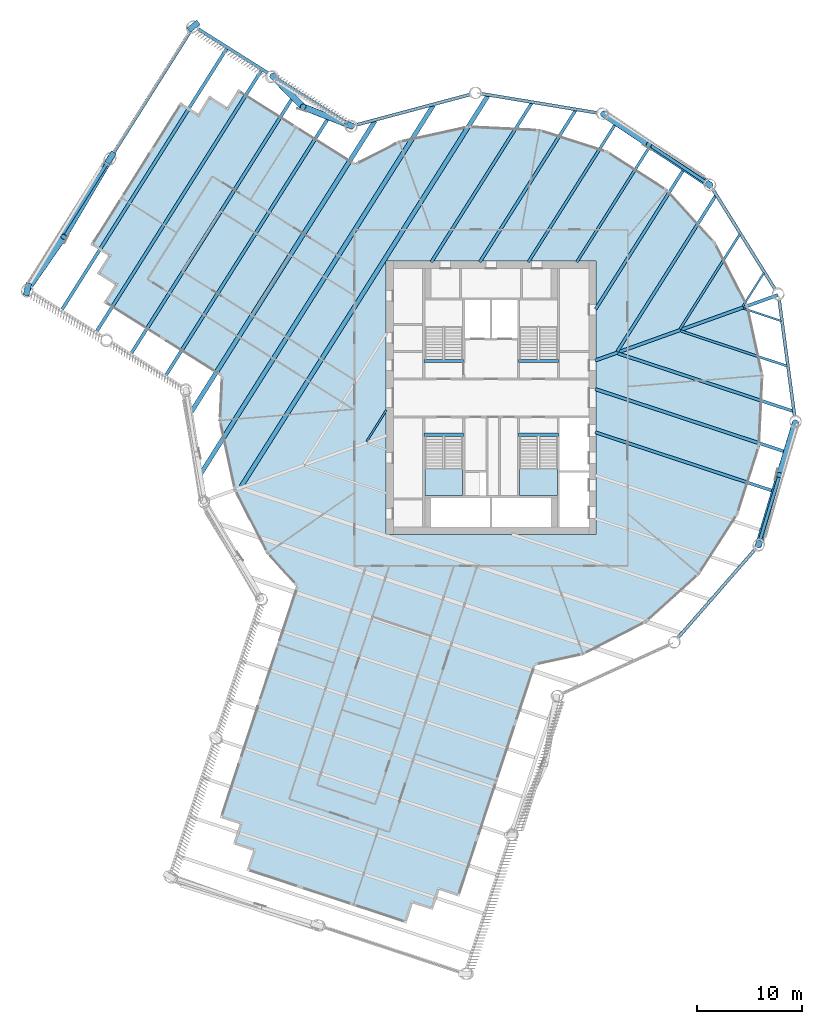
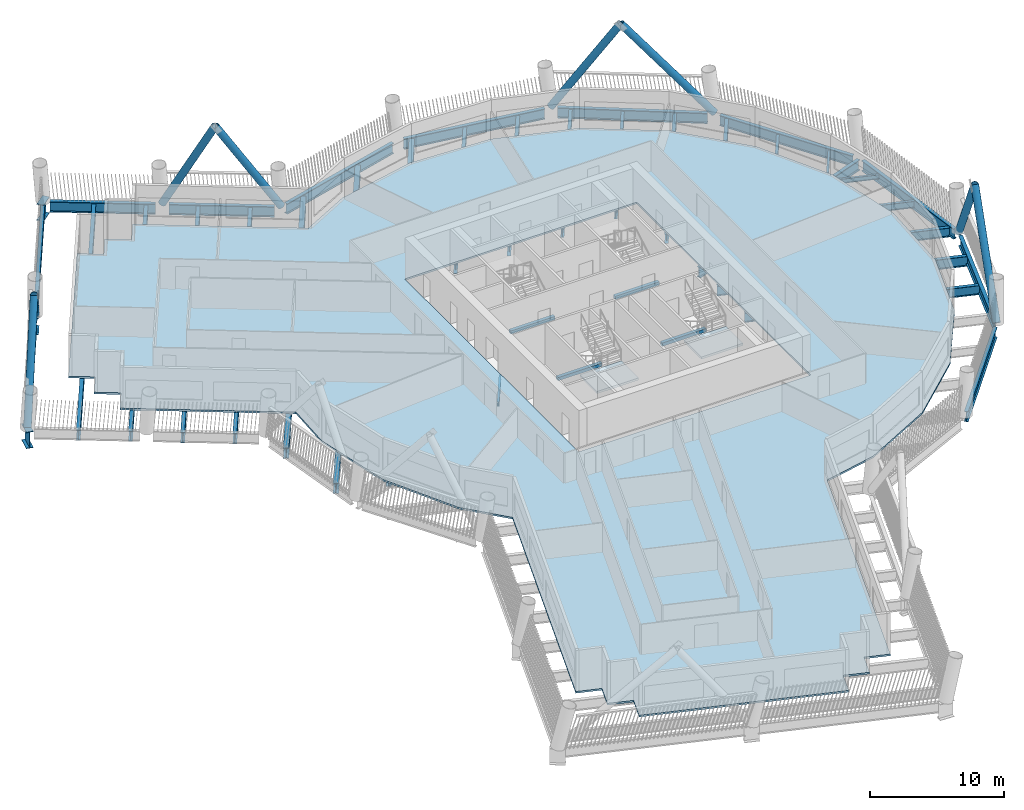
# One storey, part 2 of 22: 40 beams, 8 members, 3 slabs, 2 elements without a shape of their own.
"""IFC4 building model written with IfcOpenShell, lengths in metres."""

import ifcopenshell
import ifcopenshell.guid

model = None  # the IFC model being written
_history = None  # IfcOwnerHistory: only IFC2X3 demands one
_inside = {}  # id of a spatial element -> (the spatial element, [elements in it])
_under = {}  # id of a project, library or spatial element -> (it, [spatial elements below it])
_declared = {}  # id of a project -> (the project, [libraries it declares])
_typed = {}  # id of a type object -> (the type object, [elements of that type])
_made_of = {}  # id of a material, layer set ... -> (it, [elements and type objects made of it])


def new_model(schema):
    """Start an empty IFC model of exactly this schema.

    Asked for "IFC4X3", IfcOpenShell would pick the latest addendum, in which some entities
    have other attributes; the version numbers below select the first issue.
    IFC2X3 requires an IfcOwnerHistory on every rooted entity: one is made here for all.
    """
    global model, _history
    if schema == "IFC4X3":
        model = ifcopenshell.file(schema_version=(4, 3, 0, 0))
    else:
        model = ifcopenshell.file(schema=schema)
    _inside.clear()
    _under.clear()
    _declared.clear()
    _typed.clear()
    _made_of.clear()
    _history = None
    if model.schema == "IFC2X3":
        org = make("IfcOrganization", Name="unknown")
        user = make(
            "IfcPersonAndOrganization",
            ThePerson=make("IfcPerson", FamilyName="unknown"),
            TheOrganization=org,
        )
        app = make(
            "IfcApplication",
            ApplicationDeveloper=org,
            Version="unknown",
            ApplicationFullName="unknown",
            ApplicationIdentifier="unknown",
        )
        _history = make(
            "IfcOwnerHistory",
            OwningUser=user,
            OwningApplication=app,
            ChangeAction="ADDED",
            CreationDate=0,
        )
    return model


def make(cls, **values):
    """One entity of the class cls with the attributes given. An attribute that is None is left unset."""
    return model.create_entity(
        cls, **{name: value for name, value in values.items() if value is not None}
    )


def rooted(cls, **values):
    """An entity with a GlobalId (a new one), such as an element, a storey or a relation."""
    return make(cls, GlobalId=ifcopenshell.guid.new(), OwnerHistory=_history, **values)


def si_unit(unit_type, name, prefix=None):
    """IfcSIUnit, for example si_unit("LENGTHUNIT", "METRE", prefix="MILLI")."""
    return make("IfcSIUnit", UnitType=unit_type, Prefix=prefix, Name=name)


def assignment(units):
    """IfcUnitAssignment: the units of a project."""
    return None if units is None else make("IfcUnitAssignment", Units=units)


def point(xyz):
    """IfcCartesianPoint."""
    return None if xyz is None else make("IfcCartesianPoint", Coordinates=xyz)


def direction(xyz):
    """IfcDirection."""
    return None if xyz is None else make("IfcDirection", DirectionRatios=xyz)


def frame(location, z_axis=None, x_axis=None):
    """IfcAxis2Placement3D, a coordinate frame: its origin and axes. An axis left out is left unset."""
    return make(
        "IfcAxis2Placement3D",
        Location=point(location),
        Axis=direction(z_axis),
        RefDirection=direction(x_axis),
    )


def frame_2d(location, x_axis=None):
    """IfcAxis2Placement2D, a coordinate frame in the plane: its origin and x axis."""
    return make(
        "IfcAxis2Placement2D", Location=point(location), RefDirection=direction(x_axis)
    )


def origin():
    """The frame at (0, 0, 0) with its axes left unset."""
    return frame((0.0, 0.0, 0.0))


def origin_2d():
    """The frame at (0, 0) in the plane with its x axis left unset."""
    return frame_2d((0.0, 0.0))


def place(relative_to, where):
    """IfcLocalPlacement: puts the frame where relative to a parent placement (None: the world)."""
    return make(
        "IfcLocalPlacement", PlacementRelTo=relative_to, RelativePlacement=where
    )


def context(
    kind, dimensions, precision=None, world=None, true_north=None, identifier=None
):
    """IfcGeometricRepresentationContext, for example the 3D "Model" context."""
    return make(
        "IfcGeometricRepresentationContext",
        ContextIdentifier=identifier,
        ContextType=kind,
        CoordinateSpaceDimension=dimensions,
        Precision=precision,
        WorldCoordinateSystem=world,
        TrueNorth=true_north,
    )


def subcontext(parent, identifier, kind, view, scale=None):
    """IfcGeometricRepresentationSubContext, for example "Body" below "Model"."""
    return make(
        "IfcGeometricRepresentationSubContext",
        ContextIdentifier=identifier,
        ContextType=kind,
        ParentContext=parent,
        TargetScale=scale,
        TargetView=view,
    )


def project(units=None, contexts=None):
    """IfcProject with its units and contexts."""
    return rooted(
        "IfcProject",
        Name="project",
        RepresentationContexts=contexts,
        UnitsInContext=assignment(units),
    )


def spatial(cls, under=None, at=None, **own):
    """A site, building, storey or space (cls), placed at a placement, below another one or the project."""
    s = rooted(cls, ObjectPlacement=at, **own)
    if under is not None:
        _under.setdefault(under.id(), (under, []))[1].append(s)
    return s


def polyline(points):
    """IfcPolyline through the points."""
    return make("IfcPolyline", Points=[point(p) for p in points])


def profile(cls, at=None, kind="AREA", **sizes):
    """A parametric profile (cls). Its sizes go by their IFC names, for example OverallWidth=200.0."""
    return make(cls, ProfileType=kind, Position=at, **sizes)


def rectangle(**sizes):
    """IfcRectangleProfileDef."""
    return profile("IfcRectangleProfileDef", **sizes)


def hollow_circle(**sizes):
    """IfcCircleHollowProfileDef."""
    return profile("IfcCircleHollowProfileDef", **sizes)


def i_section(**sizes):
    """IfcIShapeProfileDef."""
    return profile("IfcIShapeProfileDef", **sizes)


def outline(outer, holes=None, kind="AREA"):
    """IfcArbitraryClosedProfileDef: a profile drawn as a closed curve; with holes, ...WithVoids."""
    if holes is None:
        return make("IfcArbitraryClosedProfileDef", ProfileType=kind, OuterCurve=outer)
    return make(
        "IfcArbitraryProfileDefWithVoids",
        ProfileType=kind,
        OuterCurve=outer,
        InnerCurves=holes,
    )


def extrude(swept, where, along, depth):
    """IfcExtrudedAreaSolid: the profile swept, set in the frame where, extruded along a direction by depth."""
    return make(
        "IfcExtrudedAreaSolid",
        SweptArea=swept,
        Position=where,
        ExtrudedDirection=direction(along),
        Depth=depth,
    )


def shape(context_of_items, identifier, shape_type, items):
    """IfcShapeRepresentation: the items that make up one representation, for example the "Body"."""
    return make(
        "IfcShapeRepresentation",
        ContextOfItems=context_of_items,
        RepresentationIdentifier=identifier,
        RepresentationType=shape_type,
        Items=items,
    )


def material(Name=None, Category=None):
    """IfcMaterial."""
    return make("IfcMaterial", Name=Name, Category=Category)


def layer(
    of_material, thickness, ventilated=None, Name=None, Category=None, Priority=None
):
    """IfcMaterialLayer: one layer of a wall or slab, of a material (None: an air gap)."""
    return make(
        "IfcMaterialLayer",
        Material=of_material,
        LayerThickness=thickness,
        IsVentilated=ventilated,
        Name=Name,
        Category=Category,
        Priority=Priority,
    )


def layer_set(layers, Name=None):
    """IfcMaterialLayerSet."""
    return make("IfcMaterialLayerSet", MaterialLayers=layers, LayerSetName=Name)


def material_profile(
    of_material, cross_section, Name=None, Category=None, Priority=None
):
    """IfcMaterialProfile: a cross section and its material."""
    return make(
        "IfcMaterialProfile",
        Name=Name,
        Material=of_material,
        Profile=cross_section,
        Priority=Priority,
        Category=Category,
    )


def profile_set(profiles, Name=None, composite=None):
    """IfcMaterialProfileSet."""
    return make(
        "IfcMaterialProfileSet",
        Name=Name,
        MaterialProfiles=profiles,
        CompositeProfile=composite,
    )


def made_of(thing, what):
    """Note that an element or type object is made of a material, layer set ...; save() writes the relation."""
    if what is not None:
        _made_of.setdefault(what.id(), (what, []))[1].append(thing)
    return thing


def type_object(cls, material=None, **own):
    """A type object (cls), such as IfcWallType, which elements share."""
    return made_of(rooted(cls, **own), material)


def element(
    cls,
    number,
    at=None,
    inside=None,
    cuts=None,
    type_object=None,
    material=None,
    context=None,
    identifier="Body",
    shape_type=None,
    held_by="IfcProductDefinitionShape",
    body=None,
    shapes=None,
    **own,
):
    """One element of the class cls, such as IfcWall. Its Tag is "e" and its number.

    at: its placement. inside: the storey or other place that contains it. cuts: it is an
    opening in that element (IfcRelVoidsElement). A single representation is given by context,
    identifier, shape_type and body (its items); several are given by shapes. held_by: the class
    of the entity that holds the representations. save() writes the other relations.
    """
    e = rooted(cls, Tag="e%d" % number, ObjectPlacement=at, **own)
    if body is not None:
        shapes = [shape(context, identifier, shape_type, body)]
    if shapes is not None:
        e.Representation = make(held_by, Representations=shapes)
    if inside is not None:
        _inside.setdefault(inside.id(), (inside, []))[1].append(e)
    if cuts is not None:
        rooted(
            "IfcRelVoidsElement", RelatingBuildingElement=cuts, RelatedOpeningElement=e
        )
    if type_object is not None:
        _typed.setdefault(type_object.id(), (type_object, []))[1].append(e)
    return made_of(e, material)


def aggregate(whole, parts):
    """IfcRelAggregates: a whole, such as a stair, and the parts it consists of."""
    return rooted("IfcRelAggregates", RelatingObject=whole, RelatedObjects=parts)


def save(model, path):
    """Write the relations noted so far, then the file.

    IfcRelAggregates (storeys below a building ...), IfcRelContainedInSpatialStructure (elements
    in a storey), IfcRelDefinesByType, IfcRelAssociatesMaterial and IfcRelDeclares: one each for
    every whole, place, type object, material and project.
    """
    for whole, parts in _under.values():
        aggregate(whole, parts)
    for where, things in _inside.values():
        rooted(
            "IfcRelContainedInSpatialStructure",
            RelatedElements=things,
            RelatingStructure=where,
        )
    for kind, things in _typed.values():
        rooted("IfcRelDefinesByType", RelatedObjects=things, RelatingType=kind)
    for what, things in _made_of.values():
        rooted("IfcRelAssociatesMaterial", RelatedObjects=things, RelatingMaterial=what)
    for by, libraries in _declared.values():
        rooted("IfcRelDeclares", RelatingContext=by, RelatedDefinitions=libraries)
    model.write(path)


model = new_model("IFC4")

# Units and contexts
model_context = context("Model", 3, precision=1e-05, world=origin(), true_north=direction((0.0, 1.0)))
body_context = subcontext(model_context, "Body", "Model", "MODEL_VIEW")
ifc_project = project(units=[si_unit("LENGTHUNIT", "METRE"), si_unit("AREAUNIT", "SQUARE_METRE"), si_unit("VOLUMEUNIT", "CUBIC_METRE"), si_unit("PLANEANGLEUNIT", "RADIAN"), si_unit("MASSUNIT", "GRAM", prefix="KILO")], contexts=[model_context])

# Site, building, storey
site_placement = place(None, origin())
site = spatial("IfcSite", under=ifc_project, at=site_placement, CompositionType="ELEMENT")
building_placement = place(site_placement, origin())
building = spatial("IfcBuilding", under=site, at=building_placement, Name="Tarsis Ring Headquarters", CompositionType="ELEMENT")
storey_placement = place(building_placement, frame((0.0, 0.0, 147.60009765625)))
storey = spatial("IfcBuildingStorey", under=building, at=storey_placement, Name="L33", CompositionType="ELEMENT", Elevation=147.60009765625)

# Beams
ifc_material_1 = material(Name="Structural steel S355", Category="steel")
ifc_material_profile_1 = material_profile(ifc_material_1, i_section(OverallWidth=0.177734375, OverallDepth=0.406494140625, WebThickness=0.0078125, FlangeThickness=0.0126953125, at=origin_2d()), Name="W16x40")
ifc_profile_set_1 = profile_set([ifc_material_profile_1], Name="Structural steel S355")
beam_type_1 = type_object("IfcBeamType", Name="FB Floor beam W16x40", PredefinedType="JOIST", material=ifc_profile_set_1)
for number, where, z_axis, x_axis, name in (
    (1, (23.99365234375, 8.5107421875, -0.36328125), (0.94963494979, -0.313358360568, 0.0), (0.313358360568, 0.94963494979, 0.0), "Floor beam FB1"),
    (2, (25.961669921875, 11.904296875, -0.36328125), (-0.533799866312, -0.845610845913, 0.0), (0.845610845913, -0.533799866312, 0.0), "Floor beam FB1"),
):
    element("IfcBeam", number, at=place(storey_placement, frame(where, z_axis=z_axis, x_axis=x_axis)), inside=storey, type_object=beam_type_1, Name=name, PredefinedType="JOIST", context=body_context, shape_type="SweptSolid", body=[
        extrude(i_section(OverallWidth=0.177734375, OverallDepth=0.406494140625, WebThickness=0.0078125, FlangeThickness=0.0126953125, at=origin_2d()), origin(), (0.0, 0.0, 1.0), 3.80517578125),
    ])
beam_1_placement = place(storey_placement, frame((-9.946533203125, -1.14501953125, -0.36328125), z_axis=(-0.533747472691, -0.845643917613, 0.0), x_axis=(0.845643917613, -0.533747472691, 0.0)))
element("IfcBeam", 3, at=beam_1_placement, inside=storey, type_object=beam_type_1, Name="Floor beam FB1", PredefinedType="JOIST", context=body_context, shape_type="SweptSolid", body=[
    extrude(i_section(OverallWidth=0.177734375, OverallDepth=0.406494140625, WebThickness=0.0078125, FlangeThickness=0.0126953125, at=origin_2d()), origin(), (0.0, 0.0, 1.0), 3.554443359375),
])
ifc_material_profile_2 = material_profile(ifc_material_1, i_section(OverallWidth=0.228271484375, OverallDepth=0.607177734375, WebThickness=0.01123046875, FlangeThickness=0.017333984375, at=origin_2d()), Name="W24x76")
ifc_profile_set_2 = profile_set([ifc_material_profile_2], Name="Structural steel S355")
beam_type_2 = type_object("IfcBeamType", Name="FB Floor beam W24x76", PredefinedType="JOIST", material=ifc_profile_set_2)
beam_2_placement = place(storey_placement, frame((18.03125, 6.37109375, -0.463623046875), z_axis=(0.949643131658, -0.313333564265, 0.0), x_axis=(0.313333564265, 0.949643131658, 0.0)))
element("IfcBeam", 4, at=beam_2_placement, inside=storey, type_object=beam_type_2, Name="Floor beam FB4", PredefinedType="JOIST", context=body_context, shape_type="SweptSolid", body=[
    extrude(i_section(OverallWidth=0.228271484375, OverallDepth=0.607177734375, WebThickness=0.01123046875, FlangeThickness=0.017333984375, at=origin_2d()), origin(), (0.0, 0.0, 1.0), 10.684814453125),
])
beam_3_placement = place(storey_placement, frame((23.671142578125, 15.582275390625, -0.463623046875), z_axis=(-0.533746237094, -0.845644697487, 0.0), x_axis=(0.845644697487, -0.533746237094, 0.0)))
element("IfcBeam", 5, at=beam_3_placement, inside=storey, type_object=beam_type_2, Name="Floor beam FB4", PredefinedType="JOIST", context=body_context, shape_type="SweptSolid", body=[
    extrude(i_section(OverallWidth=0.228271484375, OverallDepth=0.607177734375, WebThickness=0.01123046875, FlangeThickness=0.017333984375, at=origin_2d()), origin(), (0.0, 0.0, 1.0), 10.6845703125),
])
ifc_material_profile_3 = material_profile(ifc_material_1, i_section(OverallWidth=0.2529296875, OverallDepth=0.67822265625, WebThickness=0.01171875, FlangeThickness=0.016357421875, at=origin_2d()), Name="W27x84")
ifc_profile_set_3 = profile_set([ifc_material_profile_3], Name="Structural steel S355")
beam_type_3 = type_object("IfcBeamType", Name="FB Floor beam W27x84", PredefinedType="JOIST", material=ifc_profile_set_3)
beam_4_placement = place(storey_placement, frame((15.13232421875, 23.973876953125, -0.499267578125), z_axis=(-0.533774524038, -0.845626842933, 0.0), x_axis=(0.845626842933, -0.533774524038, 0.0)))
element("IfcBeam", 6, at=beam_4_placement, inside=storey, type_object=beam_type_3, Name="Floor beam FB5", PredefinedType="JOIST", context=body_context, shape_type="SweptSolid", body=[
    extrude(i_section(OverallWidth=0.2529296875, OverallDepth=0.67822265625, WebThickness=0.01171875, FlangeThickness=0.016357421875, at=origin_2d()), origin(), (0.0, 0.0, 1.0), 13.0771484375),
])
ifc_material_profile_4 = material_profile(ifc_material_1, i_section(OverallWidth=0.2666015625, OverallDepth=0.7568359375, WebThickness=0.013916015625, FlangeThickness=0.019287109375, at=origin_2d()), Name="W30x108")
ifc_profile_set_4 = profile_set([ifc_material_profile_4], Name="Structural steel S355")
beam_type_4 = type_object("IfcBeamType", Name="FB Floor beam W30x108", PredefinedType="JOIST", material=ifc_profile_set_4)
beam_5_placement = place(storey_placement, frame((11.88818359375, 26.14111328125, -0.53857421875), z_axis=(-0.53375980714, -0.845636132318, 0.0), x_axis=(0.845636132318, -0.53375980714, 0.0)))
element("IfcBeam", 7, at=beam_5_placement, inside=storey, type_object=beam_type_4, Name="Floor beam FB6", PredefinedType="JOIST", context=body_context, shape_type="SweptSolid", body=[
    extrude(i_section(OverallWidth=0.2666015625, OverallDepth=0.7568359375, WebThickness=0.013916015625, FlangeThickness=0.019287109375, at=origin_2d()), origin(), (0.0, 0.0, 1.0), 15.639892578125),
])
ifc_material_profile_5 = material_profile(ifc_material_1, i_section(OverallWidth=0.2919921875, OverallDepth=0.835693359375, WebThickness=0.013916015625, FlangeThickness=0.018798828125, at=origin_2d()), Name="W33x118")
ifc_profile_set_5 = profile_set([ifc_material_profile_5], Name="Structural steel S355")
beam_type_5 = type_object("IfcBeamType", Name="FB Floor beam W33x118", PredefinedType="JOIST", material=ifc_profile_set_5)
beam_6_placement = place(storey_placement, frame((12.06884765625, 4.2314453125, -0.577880859375), z_axis=(0.949647675391, -0.313319792901, 0.0), x_axis=(0.313319792901, 0.949647675391, 0.0)))
element("IfcBeam", 8, at=beam_6_placement, inside=storey, type_object=beam_type_5, Name="Floor beam FB7", PredefinedType="JOIST", context=body_context, shape_type="SweptSolid", body=[
    extrude(i_section(OverallWidth=0.2919921875, OverallDepth=0.835693359375, WebThickness=0.013916015625, FlangeThickness=0.018798828125, at=origin_2d()), origin(), (0.0, 0.0, 1.0), 17.56396484375),
])
beam_7_placement = place(storey_placement, frame((9.905029296875, -3.26806640625, -0.577880859375), z_axis=(0.94964616259, -0.313324378045, 0.0), x_axis=(0.313324378045, 0.94964616259, 0.0)))
element("IfcBeam", 9, at=beam_7_placement, inside=storey, type_object=beam_type_5, Name="Floor beam FB7", PredefinedType="JOIST", context=body_context, shape_type="SweptSolid", body=[
    extrude(i_section(OverallWidth=0.2919921875, OverallDepth=0.835693359375, WebThickness=0.013916015625, FlangeThickness=0.018798828125, at=origin_2d()), origin(), (0.0, 0.0, 1.0), 17.919921875),
])
beam_8_placement = place(storey_placement, frame((21.380859375, 19.26025390625, -0.577880859375), z_axis=(-0.533760772102, -0.84563552324, 0.0), x_axis=(0.84563552324, -0.533760772102, 0.0)))
element("IfcBeam", 10, at=beam_8_placement, inside=storey, type_object=beam_type_5, Name="Floor beam FB7", PredefinedType="JOIST", context=body_context, shape_type="SweptSolid", body=[
    extrude(i_section(OverallWidth=0.2919921875, OverallDepth=0.835693359375, WebThickness=0.013916015625, FlangeThickness=0.018798828125, at=origin_2d()), origin(), (0.0, 0.0, 1.0), 17.56396484375),
])
beam_9_placement = place(storey_placement, frame((18.376220703125, 21.806640625, -0.577880859375), z_axis=(-0.533764976124, -0.845632869668, 0.0), x_axis=(0.845632869668, -0.533764976124, 0.0)))
element("IfcBeam", 11, at=beam_9_placement, inside=storey, type_object=beam_type_5, Name="Floor beam FB7", PredefinedType="JOIST", context=body_context, shape_type="SweptSolid", body=[
    extrude(i_section(OverallWidth=0.2919921875, OverallDepth=0.835693359375, WebThickness=0.013916015625, FlangeThickness=0.018798828125, at=origin_2d()), origin(), (0.0, 0.0, 1.0), 15.79296875),
])
beam_10_placement = place(storey_placement, frame((8.060791015625, 27.3837890625, -0.577880859375), z_axis=(-0.533772321535, -0.845628233187, 0.0), x_axis=(0.845628233187, -0.533772321535, 0.0)))
element("IfcBeam", 12, at=beam_10_placement, inside=storey, type_object=beam_type_5, Name="Floor beam FB7", PredefinedType="JOIST", context=body_context, shape_type="SweptSolid", body=[
    extrude(i_section(OverallWidth=0.2919921875, OverallDepth=0.835693359375, WebThickness=0.013916015625, FlangeThickness=0.018798828125, at=origin_2d()), origin(), (0.0, 0.0, 1.0), 17.109375),
])
beam_11_placement = place(storey_placement, frame((3.88525390625, 28.0751953125, -0.577880859375), z_axis=(-0.533766499344, -0.845631908207, 0.0), x_axis=(0.845631908207, -0.533766499344, 0.0)))
element("IfcBeam", 13, at=beam_11_placement, inside=storey, type_object=beam_type_5, Name="Floor beam FB7", PredefinedType="JOIST", context=body_context, shape_type="SweptSolid", body=[
    extrude(i_section(OverallWidth=0.2919921875, OverallDepth=0.835693359375, WebThickness=0.013916015625, FlangeThickness=0.018798828125, at=origin_2d()), origin(), (0.0, 0.0, 1.0), 17.927001953125),
])
ifc_material_profile_6 = material_profile(ifc_material_1, i_section(OverallWidth=0.3046875, OverallDepth=0.904296875, WebThickness=0.01513671875, FlangeThickness=0.02001953125, at=origin_2d()), Name="W36x135")
ifc_profile_set_6 = profile_set([ifc_material_profile_6], Name="Structural steel S355")
beam_type_6 = type_object("IfcBeamType", Name="FB Floor beam W36x135", PredefinedType="JOIST", material=ifc_profile_set_6)
beam_12_placement = place(storey_placement, frame((9.905029296875, 0.838623046875, -0.6123046875), z_axis=(0.94964366915, -0.313331935243, 0.0), x_axis=(0.313331935243, 0.94964366915, 0.0)))
element("IfcBeam", 14, at=beam_12_placement, inside=storey, type_object=beam_type_6, Name="Floor beam FB8", PredefinedType="JOIST", context=body_context, shape_type="SweptSolid", body=[
    extrude(i_section(OverallWidth=0.3046875, OverallDepth=0.904296875, WebThickness=0.01513671875, FlangeThickness=0.02001953125, at=origin_2d()), origin(), (0.0, 0.0, 1.0), 19.10546875),
])
ifc_material_profile_7 = material_profile(ifc_material_1, i_section(OverallWidth=0.309814453125, OverallDepth=0.949951171875, WebThickness=0.0244140625, FlangeThickness=0.0439453125, at=origin_2d()), Name="W36x256")
ifc_profile_set_7 = profile_set([ifc_material_profile_7], Name="Structural steel S355")
beam_type_7 = type_object("IfcBeamType", Name="FB Floor beam W36x256", PredefinedType="JOIST", material=ifc_profile_set_7)
for number, where, z_axis, x_axis, name in (
    (15, (-15.215576171875, 27.04052734375, -0.635009765625), (-0.533758426983, -0.845637003462, 0.0), (0.845637003462, -0.533758426983, 0.0), "Floor beam FB11"),
    (16, (-18.513427734375, 29.122314453125, -0.635009765625), (-0.533764347123, -0.845633266695, 0.0), (0.845633266695, -0.533764347123, 0.0), "Floor beam FB11"),
    (17, (-21.8115234375, 31.203857421875, -0.635009765625), (-0.533764347123, -0.845633266695, 0.0), (0.845633266695, -0.533764347123, 0.0), "Floor beam FB11"),
    (18, (-25.109375, 33.28564453125, -0.635009765625), (-0.533764347123, -0.845633266695, 0.0), (0.845633266695, -0.533764347123, 0.0), "Floor beam FB11"),
):
    element("IfcBeam", number, at=place(storey_placement, frame(where, z_axis=z_axis, x_axis=x_axis)), inside=storey, type_object=beam_type_7, Name=name, PredefinedType="JOIST", context=body_context, shape_type="SweptSolid", body=[
        extrude(i_section(OverallWidth=0.309814453125, OverallDepth=0.949951171875, WebThickness=0.0244140625, FlangeThickness=0.0439453125, at=origin_2d()), origin(), (0.0, 0.0, 1.0), 29.489990234375),
    ])
beam_type_8 = type_object("IfcBeamType", Name="FB Floor beam W36x256 spine", PredefinedType="BEAM", material=ifc_profile_set_7)
beam_13_placement = place(storey_placement, frame((27.286376953125, 9.79150390625, -0.635009765625), z_axis=(-0.941235628998, -0.337750633906, 0.0), x_axis=(0.337750633906, -0.941235628998, 0.0)))
element("IfcBeam", 19, at=beam_13_placement, inside=storey, type_object=beam_type_8, Name="Floor beam SB11", PredefinedType="BEAM", context=body_context, shape_type="SweptSolid", body=[
    extrude(i_section(OverallWidth=0.309814453125, OverallDepth=0.949951171875, WebThickness=0.0244140625, FlangeThickness=0.0439453125, at=origin_2d()), origin(), (0.0, 0.0, 1.0), 18.4658203125),
])
ifc_material_profile_8 = material_profile(ifc_material_1, i_section(OverallWidth=0.42431640625, OverallDepth=0.947509765625, WebThickness=0.02392578125, FlangeThickness=0.042724609375, at=origin_2d()), Name="W36x302")
ifc_profile_set_8 = profile_set([ifc_material_profile_8], Name="Structural steel S355")
beam_type_9 = type_object("IfcBeamType", Name="FB Floor beam W36x302", PredefinedType="JOIST", material=ifc_profile_set_8)
beam_14_placement = place(storey_placement, frame((-0.290283203125, 28.766845703125, -0.6337890625), z_axis=(-0.533758461216, -0.845636981854, 0.0), x_axis=(0.845636981854, -0.533758461216, 0.0)))
element("IfcBeam", 20, at=beam_14_placement, inside=storey, type_object=beam_type_9, Name="Floor beam FB12", PredefinedType="JOIST", context=body_context, shape_type="SweptSolid", body=[
    extrude(i_section(OverallWidth=0.42431640625, OverallDepth=0.947509765625, WebThickness=0.02392578125, FlangeThickness=0.042724609375, at=origin_2d()), origin(), (0.0, 0.0, 1.0), 43.98681640625),
])
beam_15_placement = place(storey_placement, frame((-5.490966796875, 27.833740234375, -0.6337890625), z_axis=(-0.533764018283, -0.845633474258, 0.0), x_axis=(0.845633474258, -0.533764018283, 0.0)))
element("IfcBeam", 21, at=beam_15_placement, inside=storey, type_object=beam_type_9, Name="Floor beam FB12", PredefinedType="JOIST", context=body_context, shape_type="SweptSolid", body=[
    extrude(i_section(OverallWidth=0.42431640625, OverallDepth=0.947509765625, WebThickness=0.02392578125, FlangeThickness=0.042724609375, at=origin_2d()), origin(), (0.0, 0.0, 1.0), 41.523681640625),
])
beam_16_placement = place(storey_placement, frame((-11.036865234375, 26.35400390625, -0.6337890625), z_axis=(-0.5337619047, -0.845634808349, 0.0), x_axis=(0.845634808349, -0.5337619047, 0.0)))
element("IfcBeam", 22, at=beam_16_placement, inside=storey, type_object=beam_type_9, Name="Floor beam FB12", PredefinedType="JOIST", context=body_context, shape_type="SweptSolid", body=[
    extrude(i_section(OverallWidth=0.42431640625, OverallDepth=0.947509765625, WebThickness=0.02392578125, FlangeThickness=0.042724609375, at=origin_2d()), origin(), (0.0, 0.0, 1.0), 32.875244140625),
])
ifc_material_2 = material(Name="Concrete C40/50", Category="concrete")
ifc_material_profile_9 = material_profile(ifc_material_2, rectangle(XDim=0.300048828125, YDim=0.300048828125, at=origin_2d()), Name="Stair head beam 300x300 C40/50")
ifc_profile_set_9 = profile_set([ifc_material_profile_9], Name="Concrete C40/50")
beam_type_10 = type_object("IfcBeamType", Name="Stair head beam 300x300 C40/50", PredefinedType="BEAM", material=ifc_profile_set_9)
for number, where, z_axis, x_axis, name in (
    (23, (-6.39990234375, 3.510009765625, -0.31005859375), (1.0, 0.0, 0.0), (0.0, 1.0, 0.0), "Stair head beam L33 Firefighting stair"),
    (24, (2.60009765625, 3.510009765625, -0.31005859375), (1.0, 0.0, 0.0), (0.0, 1.0, 0.0), "Stair head beam L33 Exit stair B"),
    (25, (-6.39990234375, -3.510009765625, -0.31005859375), (1.0, 0.0, 0.0), (0.0, 1.0, 0.0), "Stair head beam L33 Exit stair C"),
    (26, (2.60009765625, -3.510009765625, -0.31005859375), (1.0, 0.0, 0.0), (0.0, 1.0, 0.0), "Stair head beam L33 Exit stair D"),
):
    element("IfcBeam", number, at=place(storey_placement, frame(where, z_axis=z_axis, x_axis=x_axis)), inside=storey, type_object=beam_type_10, Name=name, PredefinedType="BEAM", context=body_context, shape_type="SweptSolid", body=[
        extrude(rectangle(XDim=0.300048828125, YDim=0.300048828125, at=origin_2d()), origin(), (0.0, 0.0, 1.0), 3.7998046875),
    ])

# Members
ifc_material_profile_10 = material_profile(ifc_material_1, hollow_circle(Radius=0.3046875, WallThickness=0.02490234375, at=origin_2d()), Name="CHS 610x25")
ifc_profile_set_10 = profile_set([ifc_material_profile_10], Name="Structural steel S355")
member_type = type_object("IfcMemberType", Name="XD X brace CHS 610x25", PredefinedType="BRACE", material=ifc_profile_set_10)
member_1_placement = place(storey_placement, frame((25.419921875, -14.05859375, 0.0), z_axis=(0.191727986029, 0.640714484689, 0.743454994255), x_axis=(-0.958026207144, 0.286680634898, 0.0)))
element("IfcMember", 27, at=member_1_placement, inside=storey, type_object=member_type, Name="X brace XD1", PredefinedType="BRACE", context=body_context, shape_type="SweptSolid", body=[
    extrude(hollow_circle(Radius=0.3046875, WallThickness=0.02490234375, at=origin_2d()), origin(), (0.0, 0.0, 1.0), 10.4912109375),
])
member_2_placement = place(storey_placement, frame((28.954833984375, -2.330810546875, 0.0), z_axis=(-0.162199634157, -0.532971361979, 0.830441332058), x_axis=(0.956678400825, -0.291146762639, 0.0)))
element("IfcMember", 28, at=member_2_placement, inside=storey, type_object=member_type, Name="X brace XD1", PredefinedType="BRACE", context=body_context, shape_type="SweptSolid", body=[
    extrude(hollow_circle(Radius=0.3046875, WallThickness=0.02490234375, at=origin_2d()), origin(), (0.0, 0.0, 1.0), 9.392333984375),
])
member_3_placement = place(storey_placement, frame((20.86669921875, 20.208740234375, 0.0), z_axis=(-0.556841672221, 0.370421068094, 0.743448440976), x_axis=(-0.553864839824, -0.8326065933, 0.0)))
element("IfcMember", 29, at=member_3_placement, inside=storey, type_object=member_type, Name="X brace XD1", PredefinedType="BRACE", context=body_context, shape_type="SweptSolid", body=[
    extrude(hollow_circle(Radius=0.3046875, WallThickness=0.02490234375, at=origin_2d()), origin(), (0.0, 0.0, 1.0), 10.491455078125),
])
member_4_placement = place(storey_placement, frame((10.681640625, 27.01318359375, 0.0), z_axis=(0.462403437439, -0.310703709467, 0.830449436129), x_axis=(0.557722224371, 0.830027662456, 0.0)))
element("IfcMember", 30, at=member_4_placement, inside=storey, type_object=member_type, Name="X brace XD1", PredefinedType="BRACE", context=body_context, shape_type="SweptSolid", body=[
    extrude(hollow_circle(Radius=0.3046875, WallThickness=0.02490234375, at=origin_2d()), origin(), (0.0, 0.0, 1.0), 9.392333984375),
])
member_5_placement = place(storey_placement, frame((-13.2373046875, 25.857177734375, 0.0), z_axis=(-0.501407623241, 0.197388381762, 0.842394338835), x_axis=(-0.36630629723, -0.930494329166, 0.0)))
element("IfcMember", 31, at=member_5_placement, inside=storey, type_object=member_type, Name="X brace XD1", PredefinedType="BRACE", context=body_context, shape_type="SweptSolid", body=[
    extrude(hollow_circle(Radius=0.3046875, WallThickness=0.02490234375, at=origin_2d()), origin(), (0.0, 0.0, 1.0), 9.259033203125),
])
member_6_placement = place(storey_placement, frame((-20.765380859375, 30.608642578125, 0.0), z_axis=(0.327323537477, -0.331671603759, 0.8847899463), x_axis=(0.711756796645, 0.702425983596, 0.0)))
element("IfcMember", 32, at=member_6_placement, inside=storey, type_object=member_type, Name="X brace XD1", PredefinedType="BRACE", context=body_context, shape_type="SweptSolid", body=[
    extrude(hollow_circle(Radius=0.3046875, WallThickness=0.02490234375, at=origin_2d()), origin(), (0.0, 0.0, 1.0), 8.8154296875),
])
member_7_placement = place(storey_placement, frame((-36.193115234375, 22.844970703125, 0.0), z_axis=(-0.379868829975, -0.64235169088, 0.665645534228), x_axis=(0.860751949874, -0.509024636721, 0.0)))
element("IfcMember", 33, at=member_7_placement, inside=storey, type_object=member_type, Name="X brace XD1", PredefinedType="BRACE", context=body_context, shape_type="SweptSolid", body=[
    extrude(hollow_circle(Radius=0.3046875, WallThickness=0.02490234375, at=origin_2d()), origin(), (0.0, 0.0, 1.0), 11.7177734375),
])
member_8_placement = place(storey_placement, frame((-44.0927734375, 10.32958984375, 0.0), z_axis=(0.349037083661, 0.504911485341, 0.789453929118), x_axis=(-0.822586198167, 0.568640436994, 0.0)))
element("IfcMember", 34, at=member_8_placement, inside=storey, type_object=member_type, Name="X brace XD1", PredefinedType="BRACE", context=body_context, shape_type="SweptSolid", body=[
    extrude(hollow_circle(Radius=0.3046875, WallThickness=0.02490234375, at=origin_2d()), origin(), (0.0, 0.0, 1.0), 9.8798828125),
])

# Beams
ifc_material_profile_11 = material_profile(ifc_material_1, i_section(OverallWidth=0.550048828125, OverallDepth=1.5, WebThickness=0.030029296875, FlangeThickness=0.050048828125, at=origin_2d()), Name="PG 1500x550x30x50")
ifc_profile_set_11 = profile_set([ifc_material_profile_11], Name="Structural steel S355")
beam_type_11 = type_object("IfcBeamType", Name="XG Ring girder PG 1500x550x30x50", PredefinedType="BEAM", material=ifc_profile_set_11)
for number, where, z_axis, x_axis, name in (
    (35, (-27.828857421875, 35.732177734375, -0.733154296875), (-0.780809261982, -0.624769474609, 0.0), (0.624769474609, -0.780809261982, 0.0), "Ring girder XG6"),
    (36, (-35.875244140625, 23.3486328125, -0.734375), (-0.533633189884, -0.845716039019, 0.0), (0.845716039019, -0.533633189884, 0.0), "Ring girder XG6"),
    (37, (-43.95703125, 10.908935546875, -0.733154296875), (-0.228097894596, -0.973638203072, 0.0), (0.973638203072, -0.228097894596, 0.0), "Ring girder XG6"),
):
    element("IfcBeam", number, at=place(storey_placement, frame(where, z_axis=z_axis, x_axis=x_axis)), inside=storey, type_object=beam_type_11, Name=name, PredefinedType="BEAM", context=body_context, shape_type="SweptSolid", body=[
        extrude(i_section(OverallWidth=0.550048828125, OverallDepth=1.5, WebThickness=0.030029296875, FlangeThickness=0.050048828125, at=origin_2d()), origin(), (0.0, 0.0, 1.0), 1.199951171875),
    ])
beam_type_12 = type_object("IfcBeamType", Name="XG Ring girder W36x256", PredefinedType="BEAM", material=ifc_profile_set_7)
beam_17_placement = place(storey_placement, frame((17.696044921875, -22.90771484375, -0.47509765625), z_axis=(0.657578621142, 0.753385928337, 0.0), x_axis=(-0.753385928337, 0.657578621142, 0.0)))
element("IfcBeam", 38, at=beam_17_placement, inside=storey, type_object=beam_type_12, Name="Ring girder XG2", PredefinedType="BEAM", context=body_context, shape_type="SweptSolid", body=[
    extrude(i_section(OverallWidth=0.309814453125, OverallDepth=0.949951171875, WebThickness=0.0244140625, FlangeThickness=0.0439453125, at=origin_2d()), origin(), (0.0, 0.0, 1.0), 11.242919921875),
])
beam_18_placement = place(storey_placement, frame((25.56494140625, -13.5771484375, -0.47509765625), z_axis=(0.288610676875, 0.957446540123, 0.0), x_axis=(-0.957446540123, 0.288610676875, 0.0)))
element("IfcBeam", 39, at=beam_18_placement, inside=storey, type_object=beam_type_12, Name="Ring girder XG2", PredefinedType="BEAM", context=body_context, shape_type="SweptSolid", body=[
    extrude(i_section(OverallWidth=0.309814453125, OverallDepth=0.949951171875, WebThickness=0.0244140625, FlangeThickness=0.0439453125, at=origin_2d()), origin(), (0.0, 0.0, 1.0), 11.2431640625),
])
beam_19_placement = place(storey_placement, frame((28.888671875, -1.832275390625, -0.47509765625), z_axis=(-0.131722770645, 0.991286594126, 0.0), x_axis=(-0.991286594126, -0.131722770645, 0.0)))
element("IfcBeam", 40, at=beam_19_placement, inside=storey, type_object=beam_type_12, Name="Ring girder XG2", PredefinedType="BEAM", context=body_context, shape_type="SweptSolid", body=[
    extrude(i_section(OverallWidth=0.309814453125, OverallDepth=0.949951171875, WebThickness=0.0244140625, FlangeThickness=0.0439453125, at=origin_2d()), origin(), (0.0, 0.0, 1.0), 11.242919921875),
])
beam_20_placement = place(storey_placement, frame((27.07568359375, 10.238037109375, -0.47509765625), z_axis=(-0.528600672622, 0.848870619649, 0.0), x_axis=(-0.848870619649, -0.528600672622, 0.0)))
element("IfcBeam", 41, at=beam_20_placement, inside=storey, type_object=beam_type_12, Name="Ring girder XG2", PredefinedType="BEAM", context=body_context, shape_type="SweptSolid", body=[
    extrude(i_section(OverallWidth=0.309814453125, OverallDepth=0.949951171875, WebThickness=0.0244140625, FlangeThickness=0.0439453125, at=origin_2d()), origin(), (0.0, 0.0, 1.0), 11.2431640625),
])
beam_21_placement = place(storey_placement, frame((20.448486328125, 20.48828125, -0.47509765625), z_axis=(-0.831508695053, 0.555511737095, 0.0), x_axis=(-0.555511737095, -0.831508695053, 0.0)))
element("IfcBeam", 42, at=beam_21_placement, inside=storey, type_object=beam_type_12, Name="Ring girder XG2", PredefinedType="BEAM", context=body_context, shape_type="SweptSolid", body=[
    extrude(i_section(OverallWidth=0.309814453125, OverallDepth=0.949951171875, WebThickness=0.0244140625, FlangeThickness=0.0439453125, at=origin_2d()), origin(), (0.0, 0.0, 1.0), 11.242919921875),
])
beam_22_placement = place(storey_placement, frame((10.185546875, 27.095458984375, -0.47509765625), z_axis=(-0.986563008127, 0.163381244319, 0.0), x_axis=(-0.163381244319, -0.986563008127, 0.0)))
element("IfcBeam", 43, at=beam_22_placement, inside=storey, type_object=beam_type_12, Name="Ring girder XG2", PredefinedType="BEAM", context=body_context, shape_type="SweptSolid", body=[
    extrude(i_section(OverallWidth=0.309814453125, OverallDepth=0.949951171875, WebThickness=0.0244140625, FlangeThickness=0.0439453125, at=origin_2d()), origin(), (0.0, 0.0, 1.0), 11.2431640625),
])
beam_23_placement = place(storey_placement, frame((-1.888427734375, 28.885009765625, -0.47509765625), z_axis=(-0.966204297649, -0.25777753045, 0.0), x_axis=(0.25777753045, -0.966204297649, 0.0)))
element("IfcBeam", 44, at=beam_23_placement, inside=storey, type_object=beam_type_12, Name="Ring girder XG2", PredefinedType="BEAM", context=body_context, shape_type="SweptSolid", body=[
    extrude(i_section(OverallWidth=0.309814453125, OverallDepth=0.949951171875, WebThickness=0.0244140625, FlangeThickness=0.0439453125, at=origin_2d()), origin(), (0.0, 0.0, 1.0), 11.242919921875),
])
for number, where, z_axis, x_axis, name in (
    (45, (-13.66259765625, 26.12548828125, -0.47509765625), (-0.845632869668, 0.533764976124, 0.0), (-0.533764976124, -0.845632869668, 0.0), "Ring girder XG2"),
    (46, (-21.190673828125, 30.877197265625, -0.47509765625), (-0.845632869668, 0.533764976124, 0.0), (-0.533764976124, -0.845632869668, 0.0), "Ring girder XG2"),
):
    element("IfcBeam", number, at=place(storey_placement, frame(where, z_axis=z_axis, x_axis=x_axis)), inside=storey, type_object=beam_type_12, Name=name, PredefinedType="BEAM", context=body_context, shape_type="SweptSolid", body=[
        extrude(i_section(OverallWidth=0.309814453125, OverallDepth=0.949951171875, WebThickness=0.0244140625, FlangeThickness=0.0439453125, at=origin_2d()), origin(), (0.0, 0.0, 1.0), 7.896484375),
    ])
for number, where, z_axis, x_axis, name in (
    (47, (-28.56201171875, 34.93505859375, -0.47509765625), (-0.533762570804, -0.845634387906, 0.0), (0.845634387906, -0.533762570804, 0.0), "Ring girder XG2"),
    (48, (-36.461669921875, 22.419677734375, -0.47509765625), (-0.533762570804, -0.845634387906, 0.0), (0.845634387906, -0.533762570804, 0.0), "Ring girder XG2"),
):
    element("IfcBeam", number, at=place(storey_placement, frame(where, z_axis=z_axis, x_axis=x_axis)), inside=storey, type_object=beam_type_12, Name=name, PredefinedType="BEAM", context=body_context, shape_type="SweptSolid", body=[
        extrude(i_section(OverallWidth=0.309814453125, OverallDepth=0.949951171875, WebThickness=0.0244140625, FlangeThickness=0.0439453125, at=origin_2d()), origin(), (0.0, 0.0, 1.0), 13.794189453125),
    ])

# Stair, slab
ifc_material_3 = material(Name="Core stair 1760")
stair_type = type_object("IfcStairType", Name="Core stair 1760", PredefinedType="HALF_TURN_STAIR", material=ifc_material_3)
stair_1_placement = place(storey_placement, origin())
stair_1 = element("IfcStair", 49, at=stair_1_placement, inside=storey, type_object=stair_type, Name="L33 Exit stair C", PredefinedType="HALF_TURN_STAIR")
ifc_layer_1 = layer(ifc_material_2, 0.199951171875)
ifc_layer_set_1 = layer_set([ifc_layer_1], Name="Core stair landing 200")
slab_type_1 = type_object("IfcSlabType", Name="Core stair landing 200", PredefinedType="LANDING", material=ifc_layer_set_1)
slab_1_placement = place(storey_placement, frame((0.0, 0.0, 1.75)))
slab_1 = element("IfcSlab", 50, at=slab_1_placement, type_object=slab_type_1, Name="Stair ST3 landing 1", PredefinedType="LANDING", context=body_context, shape_type="SweptSolid", body=[
    extrude(outline(polyline([(-6.300048828125, -6.739990234375), (-6.300048828125, -9.300048828125), (-2.699951171875, -9.300048828125), (-2.699951171875, -6.739990234375), (-6.300048828125, -6.739990234375)])), origin(), (0.0, 0.0, 1.0), 0.199951171875),
])
aggregate(stair_1, [slab_1])

stair_2_placement = place(storey_placement, origin())
stair_2 = element("IfcStair", 51, at=stair_2_placement, inside=storey, type_object=stair_type, Name="L33 Exit stair D", PredefinedType="HALF_TURN_STAIR")
slab_2_placement = place(storey_placement, frame((0.0, 0.0, 1.75)))
slab_2 = element("IfcSlab", 52, at=slab_2_placement, type_object=slab_type_1, Name="Stair ST4 landing 1", PredefinedType="LANDING", context=body_context, shape_type="SweptSolid", body=[
    extrude(outline(polyline([(2.699951171875, -6.739990234375), (2.699951171875, -9.300048828125), (6.300048828125, -9.300048828125), (6.300048828125, -6.739990234375), (2.699951171875, -6.739990234375)])), origin(), (0.0, 0.0, 1.0), 0.199951171875),
])
aggregate(stair_2, [slab_2])

# Slab
ifc_material_4 = material(Name="Concrete C35/45", Category="concrete")
ifc_layer_2 = layer(ifc_material_4, 0.159912109375)
ifc_layer_set_2 = layer_set([ifc_layer_2], Name="FS Composite floor slab 160")
slab_type_2 = type_object("IfcSlabType", Name="FS Composite floor slab 160", PredefinedType="FLOOR", material=ifc_layer_set_2)
slab_3_placement = place(storey_placement, frame((0.0, 0.0, -0.16015625)))
element("IfcSlab", 53, at=slab_3_placement, inside=storey, type_object=slab_type_2, Name="Floor slab L33", PredefinedType="FLOOR", context=body_context, shape_type="SweptSolid", body=[
    extrude(outline(polyline([(-25.709228515625, 2.037109375), (-25.9111328125, -2.1484375), (-24.47216796875, -8.781494140625), (-21.365478515625, -14.816162109375), (-18.54833984375, -17.91845703125), (-25.808837890625, -39.923583984375), (-23.90966796875, -40.55029296875), (-24.536376953125, -42.44970703125), (-22.636962890625, -43.076416015625), (-23.263671875, -44.9755859375), (-8.0693359375, -49.98876953125), (-7.442626953125, -48.089599609375), (-5.54345703125, -48.71630859375), (-4.916748046875, -46.81689453125), (-3.017333984375, -47.443603515625), (4.236572265625, -25.4580078125), (8.781494140625, -24.47216796875), (14.816162109375, -21.365478515625), (19.841064453125, -16.802734375), (23.513916015625, -11.094970703125), (25.584228515625, -4.631103515625), (25.9111328125, 2.1484375), (24.47216796875, 8.781494140625), (21.365478515625, 14.816162109375), (16.802734375, 19.841064453125), (11.094970703125, 23.513916015625), (4.631103515625, 25.584228515625), (-2.1484375, 25.9111328125), (-8.781494140625, 24.47216796875), (-12.91650390625, 22.343505859375), (-24.03759765625, 29.363037109375), (-25.105224609375, 27.671875), (-26.79638671875, 28.7392578125), (-27.864013671875, 27.048095703125), (-29.55517578125, 28.115478515625), (-38.095458984375, 14.58544921875), (-36.404296875, 13.517822265625), (-37.4716796875, 11.82666015625), (-35.780517578125, 10.759033203125), (-36.847900390625, 9.06787109375), (-25.709228515625, 2.037109375)]), holes=[polyline([(-10.0, -13.0), (-10.0, 13.0), (10.0, 13.0), (10.0, -13.0), (-10.0, -13.0)])]), origin(), (0.0, 0.0, 1.0), 0.16015625),
])

save(model, "model.ifc")
